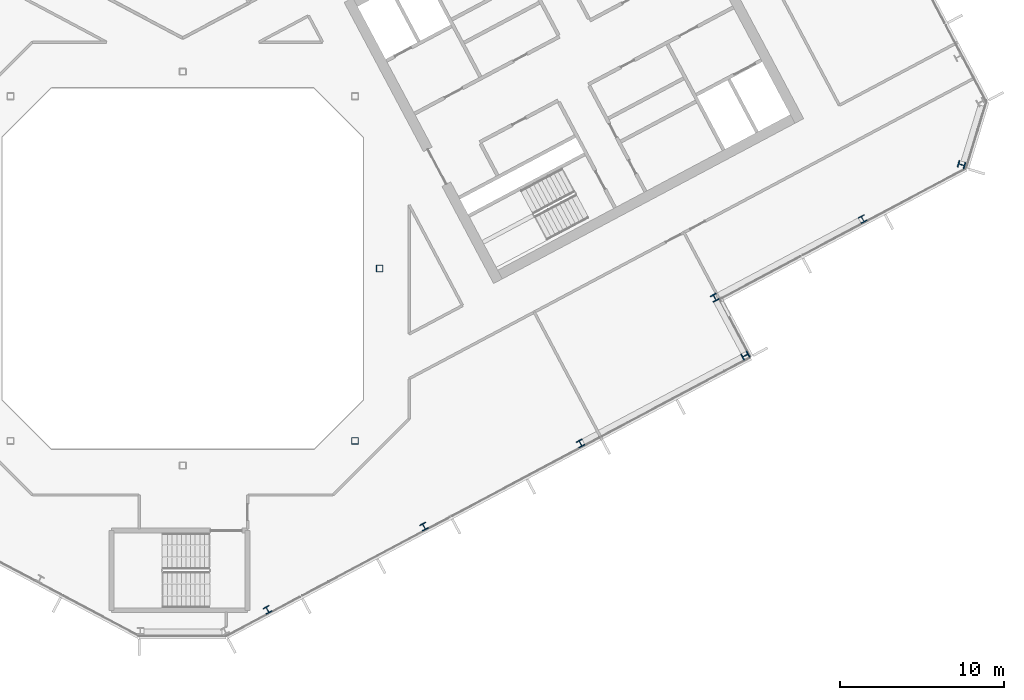
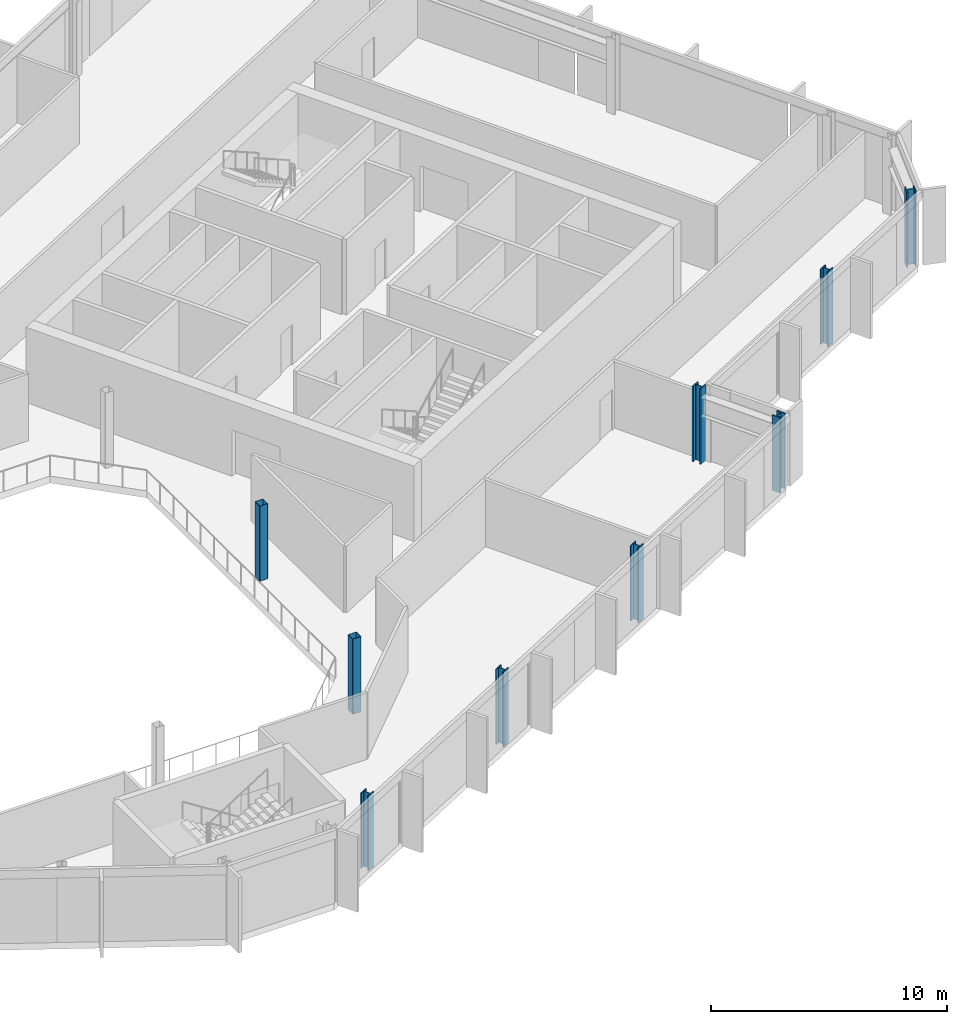
# One storey, part 5 of 26: 9 columns.
"""IFC4 building model written with IfcOpenShell, lengths in metres."""

from ifc_helpers import new_model, si_unit, direction, frame, origin, origin_2d, place, context, subcontext, project, spatial, hollow_rectangle, i_section, extrude, material, material_profile, profile_set, type_object, element, save


model = new_model("IFC4")

# Units and contexts
model_context = context("Model", 3, precision=1e-05, world=origin(), true_north=direction((0.0, 1.0)))
body_context = subcontext(model_context, "Body", "Model", "MODEL_VIEW")
ifc_project = project(units=[si_unit("LENGTHUNIT", "METRE"), si_unit("AREAUNIT", "SQUARE_METRE"), si_unit("VOLUMEUNIT", "CUBIC_METRE"), si_unit("PLANEANGLEUNIT", "RADIAN"), si_unit("MASSUNIT", "GRAM", prefix="KILO")], contexts=[model_context])

# Site, building, storey
site_placement = place(None, origin())
site = spatial("IfcSite", under=ifc_project, at=site_placement, CompositionType="ELEMENT")
building_placement = place(site_placement, origin())
building = spatial("IfcBuilding", under=site, at=building_placement, Name="Cormorant Relay Tower", CompositionType="ELEMENT")
storey_placement = place(building_placement, frame((0.0, 0.0, 248.10009765625)))
storey = spatial("IfcBuildingStorey", under=building, at=storey_placement, Name="L55", CompositionType="ELEMENT", Elevation=248.10009765625)

# Columns
ifc_material_1 = material(Name="Steel ASTM A500 Grade C (Fy 345 MPa)", Category="steel")
ifc_material_profile_1 = material_profile(ifc_material_1, hollow_rectangle(XDim=0.406494140625, YDim=0.406494140625, WallThickness=0.0146484375, InnerFilletRadius=0.00732421875, OuterFilletRadius=0.022216796875, at=origin_2d()), Name="HSS406x406x15")
ifc_profile_set_1 = profile_set([ifc_material_profile_1], Name="Steel ASTM A500 Grade C (Fy 345 MPa)")
column_type_1 = type_object("IfcColumnType", Name="Column HSS406x406x15", PredefinedType="COLUMN", material=ifc_profile_set_1)
for number, where, z_axis, x_axis, name in (
    (1, (10.5, -10.5, 0.0), (0.0, 0.0, 1.0), (1.0, 0.0, 0.0), "Column L55-010"),
    (2, (12.0, 0.0, 0.0), (0.0, 0.0, 1.0), (1.0, 0.0, 0.0), "Column L55-016"),
):
    element("IfcColumn", number, at=place(storey_placement, frame(where, z_axis=z_axis, x_axis=x_axis)), inside=storey, type_object=column_type_1, Name=name, PredefinedType="COLUMN", context=body_context, shape_type="SweptSolid", body=[
        extrude(hollow_rectangle(XDim=0.406494140625, YDim=0.406494140625, WallThickness=0.0146484375, InnerFilletRadius=0.00732421875, OuterFilletRadius=0.022216796875, at=origin_2d()), origin(), (0.0, 0.0, 1.0), 3.89990234375),
    ])
ifc_material_2 = material(Name="Steel ASTM A992 (Fy 345 MPa)", Category="steel")
ifc_material_profile_2 = material_profile(ifc_material_2, i_section(OverallWidth=0.40380859375, OverallDepth=0.406494140625, WebThickness=0.027099609375, FlangeThickness=0.043701171875, FilletRadius=0.01513671875, at=origin_2d()), Name="W360x347")
ifc_profile_set_2 = profile_set([ifc_material_profile_2], Name="Steel ASTM A992 (Fy 345 MPa)")
column_type_2 = type_object("IfcColumnType", Name="Column W360x347", PredefinedType="COLUMN", material=ifc_profile_set_2)
for number, where, z_axis, x_axis, name in (
    (3, (5.1689453125, -20.798095703125, 0.0), (0.0, 0.0, 1.0), (0.882947592859, 0.469471562786, 0.0), "Column L55-003"),
    (4, (14.705078125, -15.72705078125, 0.0), (0.0, 0.0, 1.0), (0.882947592859, 0.469471562786, 0.0), "Column L55-005"),
    (5, (24.240966796875, -10.656982421875, 0.0), (0.0, 0.0, 1.0), (0.882947592859, 0.469471562786, 0.0), "Column L55-008"),
    (6, (41.43408203125, 3.014892578125, 0.0), (0.0, 0.0, 1.0), (0.882947592859, 0.469471562786, 0.0), "Column L55-019"),
):
    element("IfcColumn", number, at=place(storey_placement, frame(where, z_axis=z_axis, x_axis=x_axis)), inside=storey, type_object=column_type_2, Name=name, PredefinedType="COLUMN", context=body_context, shape_type="SweptSolid", body=[
        extrude(i_section(OverallWidth=0.40380859375, OverallDepth=0.406494140625, WebThickness=0.027099609375, FlangeThickness=0.043701171875, FilletRadius=0.01513671875, at=origin_2d()), origin(), (0.0, 0.0, 1.0), 3.89990234375),
    ])
ifc_material_3 = material(Name="Steel ASTM A992 (Fy 345 MPa)", Category="steel")
ifc_material_profile_3 = material_profile(ifc_material_3, i_section(OverallWidth=0.41162109375, OverallDepth=0.434326171875, WebThickness=0.035888671875, FlangeThickness=0.057373046875, FilletRadius=0.01513671875, at=origin_2d()), Name="W360x463")
ifc_profile_set_3 = profile_set([ifc_material_profile_3], Name="Steel ASTM A992 (Fy 345 MPa)")
column_type_3 = type_object("IfcColumnType", Name="Column W360x463", PredefinedType="COLUMN", material=ifc_profile_set_3)
for number, where, z_axis, x_axis, name in (
    (7, (34.284912109375, -5.305908203125, 0.0), (0.0, 0.0, 1.0), (-0.469471562786, 0.882947592859, 0.0), "Column L55-012"),
    (8, (32.4169921875, -1.777099609375, 0.0), (0.0, 0.0, 1.0), (0.882947592859, 0.469471562786, 0.0), "Column L55-014"),
    (9, (47.458984375, 6.325927734375, 0.0), (0.0, 0.0, 1.0), (0.292371704723, 0.956304755963, 0.0), "Column L55-020"),
):
    element("IfcColumn", number, at=place(storey_placement, frame(where, z_axis=z_axis, x_axis=x_axis)), inside=storey, type_object=column_type_3, Name=name, PredefinedType="COLUMN", context=body_context, shape_type="SweptSolid", body=[
        extrude(i_section(OverallWidth=0.41162109375, OverallDepth=0.434326171875, WebThickness=0.035888671875, FlangeThickness=0.057373046875, FilletRadius=0.01513671875, at=origin_2d()), origin(), (0.0, 0.0, 1.0), 3.89990234375),
    ])

save(model, "model.ifc")
